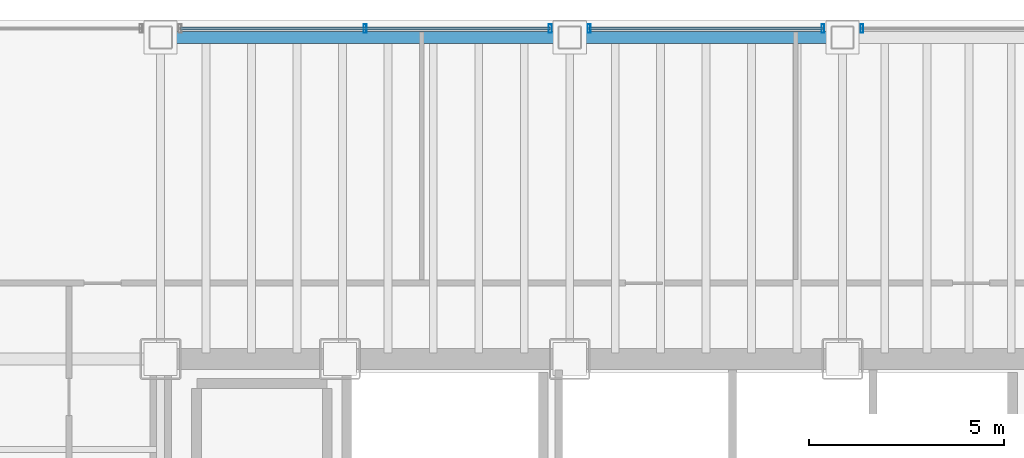
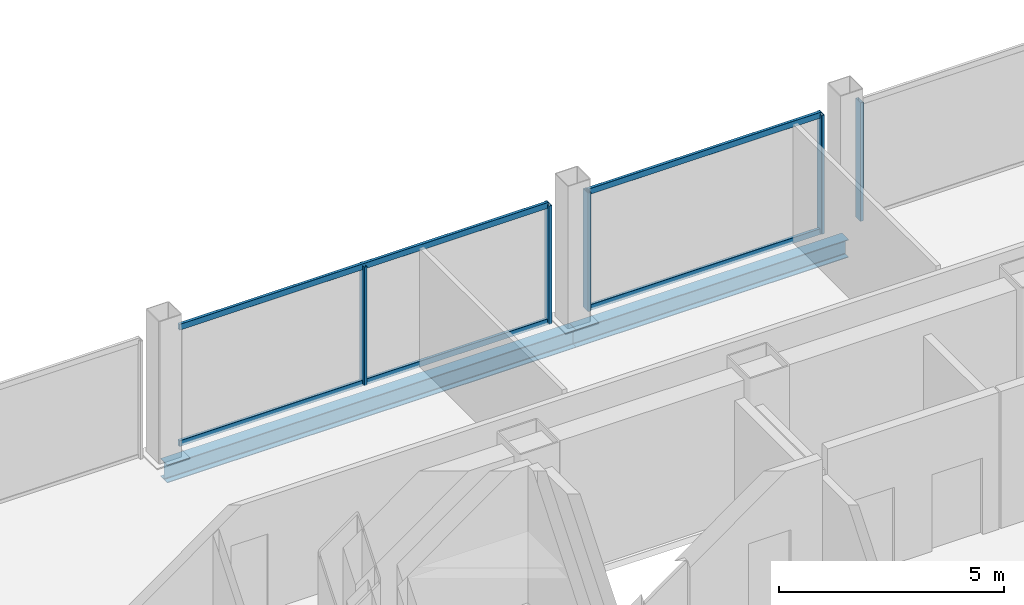
# One storey, part 15 of 21: 9 members, 2 beams, 3 elements without a shape of their own.
"""IFC4 building model written with IfcOpenShell, lengths in metres."""

from ifc_helpers import new_model, si_unit, direction, frame, origin, origin_2d, place, context, subcontext, project, spatial, hollow_rectangle, i_section, extrude, material, material_profile, profile_set, type_object, element, aggregate, save


model = new_model("IFC4")

# Units and contexts
model_context = context("Model", 3, precision=1e-05, world=origin(), true_north=direction((0.0, 1.0)))
body_context = subcontext(model_context, "Body", "Model", "MODEL_VIEW")
ifc_project = project(units=[si_unit("LENGTHUNIT", "METRE"), si_unit("AREAUNIT", "SQUARE_METRE"), si_unit("VOLUMEUNIT", "CUBIC_METRE"), si_unit("PLANEANGLEUNIT", "RADIAN"), si_unit("MASSUNIT", "GRAM", prefix="KILO")], contexts=[model_context])

# Site, building, storey
site_placement = place(None, origin())
site = spatial("IfcSite", under=ifc_project, at=site_placement, CompositionType="ELEMENT")
building_placement = place(site_placement, origin())
building = spatial("IfcBuilding", under=site, at=building_placement, Name="Noeulbin Bourse Tower", CompositionType="ELEMENT")
storey_placement = place(building_placement, frame((0.0, 0.0, 38.199951171875)))
storey = spatial("IfcBuildingStorey", under=building, at=storey_placement, Name="L09", CompositionType="ELEMENT", Elevation=38.199951171875)

# Beams
ifc_material_1 = material(Name="Steel S355", Category="steel")
ifc_material_profile_1 = material_profile(ifc_material_1, i_section(OverallWidth=0.300048828125, OverallDepth=0.488037109375, WebThickness=0.010986328125, FlangeThickness=0.01806640625, FilletRadius=0.02197265625, at=origin_2d()), Name="H-488x300x11x18", Category="LoadBearing")
ifc_profile_set_1 = profile_set([ifc_material_profile_1], Name="Steel S355")
beam_type = type_object("IfcBeamType", Name="BM-SPN-488", PredefinedType="SPANDREL", material=ifc_profile_set_1)
beam_1_placement = place(storey_placement, frame((13.5, 46.550048828125, -0.424072265625), z_axis=(1.0, 0.0, 0.0), x_axis=(0.0, 1.0, 0.0)))
element("IfcBeam", 1, at=beam_1_placement, inside=storey, type_object=beam_type, Name="North Spandrel L09-1", PredefinedType="SPANDREL", context=body_context, shape_type="SweptSolid", body=[
    extrude(i_section(OverallWidth=0.300048828125, OverallDepth=0.488037109375, WebThickness=0.010986328125, FlangeThickness=0.01806640625, FilletRadius=0.02197265625, at=origin_2d()), origin(), (0.0, 0.0, 1.0), 10.5),
])
beam_2_placement = place(storey_placement, frame((24.0, 46.550048828125, -0.424072265625), z_axis=(1.0, 0.0, 0.0), x_axis=(0.0, 1.0, 0.0)))
element("IfcBeam", 2, at=beam_2_placement, inside=storey, type_object=beam_type, Name="North Spandrel L09-2", PredefinedType="SPANDREL", context=body_context, shape_type="SweptSolid", body=[
    extrude(i_section(OverallWidth=0.300048828125, OverallDepth=0.488037109375, WebThickness=0.010986328125, FlangeThickness=0.01806640625, FilletRadius=0.02197265625, at=origin_2d()), origin(), (0.0, 0.0, 1.0), 7.0),
])

# Curtain wall, members
ifc_material_2 = material(Name="Dark Solar-Control Double Glazing", Category="glass")
curtain_wall_type = type_object("IfcCurtainWallType", Name="CW-SYS-2", PredefinedType="NOTDEFINED", material=ifc_material_2)
curtain_wall_1_placement = place(storey_placement, origin())
curtain_wall_1 = element("IfcCurtainWall", 3, at=curtain_wall_1_placement, inside=storey, type_object=curtain_wall_type, Name="Unitised Curtain Wall CW-L09-N-S2", PredefinedType="NOTDEFINED")
ifc_material_3 = material(Name="Anodised Aluminium 6063-T6", Category="aluminium")
ifc_material_profile_2 = material_profile(ifc_material_3, hollow_rectangle(XDim=0.074951171875, YDim=0.219970703125, WallThickness=0.0048828125, InnerFilletRadius=0.00244140625, OuterFilletRadius=0.0048828125, at=origin_2d()), Name="ALU-MULL-75x220x5", Category="LoadBearing")
ifc_profile_set_2 = profile_set([ifc_material_profile_2], Name="Anodised Aluminium 6063-T6")
member_type_1 = type_object("IfcMemberType", Name="CW-SYS-2-MUL", PredefinedType="MULLION", material=ifc_profile_set_2)
member_1_placement = place(storey_placement, frame((18.75, 46.780029296875, -0.02001953125), z_axis=(0.0, 0.0, 1.0), x_axis=(1.0, 0.0, 0.0)))
member_1 = element("IfcMember", 4, at=member_1_placement, type_object=member_type_1, Name="Curtain Wall Mullion CW-L09-N-S2-M01", PredefinedType="MULLION", context=body_context, shape_type="SweptSolid", body=[
    extrude(hollow_rectangle(XDim=0.074951171875, YDim=0.219970703125, WallThickness=0.0048828125, InnerFilletRadius=0.00244140625, OuterFilletRadius=0.0048828125, at=origin_2d()), origin(), (0.0, 0.0, 1.0), 3.219970703125),
])
member_2_placement = place(storey_placement, frame((23.5, 46.780029296875, -0.02001953125), z_axis=(0.0, 0.0, 1.0), x_axis=(1.0, 0.0, 0.0)))
member_2 = element("IfcMember", 5, at=member_2_placement, type_object=member_type_1, Name="Curtain Wall Mullion CW-L09-N-S2-M02", PredefinedType="MULLION", context=body_context, shape_type="SweptSolid", body=[
    extrude(hollow_rectangle(XDim=0.074951171875, YDim=0.219970703125, WallThickness=0.0048828125, InnerFilletRadius=0.00244140625, OuterFilletRadius=0.0048828125, at=origin_2d()), origin(), (0.0, 0.0, 1.0), 3.219970703125),
])

curtain_wall_2_placement = place(storey_placement, origin())
curtain_wall_2 = element("IfcCurtainWall", 6, at=curtain_wall_2_placement, inside=storey, type_object=curtain_wall_type, Name="Unitised Curtain Wall CW-L09-N-S3", PredefinedType="NOTDEFINED")
member_3_placement = place(storey_placement, frame((24.5, 46.780029296875, -0.02001953125), z_axis=(0.0, 0.0, 1.0), x_axis=(1.0, 0.0, 0.0)))
member_3 = element("IfcMember", 7, at=member_3_placement, type_object=member_type_1, Name="Curtain Wall Mullion CW-L09-N-S3-M00", PredefinedType="MULLION", context=body_context, shape_type="SweptSolid", body=[
    extrude(hollow_rectangle(XDim=0.074951171875, YDim=0.219970703125, WallThickness=0.0048828125, InnerFilletRadius=0.00244140625, OuterFilletRadius=0.0048828125, at=origin_2d()), origin(), (0.0, 0.0, 1.0), 3.219970703125),
])
member_4_placement = place(storey_placement, frame((30.5, 46.780029296875, -0.02001953125), z_axis=(0.0, 0.0, 1.0), x_axis=(1.0, 0.0, 0.0)))
member_4 = element("IfcMember", 8, at=member_4_placement, type_object=member_type_1, Name="Curtain Wall Mullion CW-L09-N-S3-M01", PredefinedType="MULLION", context=body_context, shape_type="SweptSolid", body=[
    extrude(hollow_rectangle(XDim=0.074951171875, YDim=0.219970703125, WallThickness=0.0048828125, InnerFilletRadius=0.00244140625, OuterFilletRadius=0.0048828125, at=origin_2d()), origin(), (0.0, 0.0, 1.0), 3.219970703125),
])

# Curtain wall, member
curtain_wall_3_placement = place(storey_placement, origin())
curtain_wall_3 = element("IfcCurtainWall", 9, at=curtain_wall_3_placement, inside=storey, type_object=curtain_wall_type, Name="Unitised Curtain Wall CW-L09-N-S4", PredefinedType="NOTDEFINED")
member_5_placement = place(storey_placement, frame((31.5, 46.780029296875, -0.02001953125), z_axis=(0.0, 0.0, 1.0), x_axis=(1.0, 0.0, 0.0)))
member_5 = element("IfcMember", 10, at=member_5_placement, type_object=member_type_1, Name="Curtain Wall Mullion CW-L09-N-S4-M00", PredefinedType="MULLION", context=body_context, shape_type="SweptSolid", body=[
    extrude(hollow_rectangle(XDim=0.074951171875, YDim=0.219970703125, WallThickness=0.0048828125, InnerFilletRadius=0.00244140625, OuterFilletRadius=0.0048828125, at=origin_2d()), origin(), (0.0, 0.0, 1.0), 3.219970703125),
])
aggregate(curtain_wall_3, [member_5])

# Member
ifc_material_profile_3 = material_profile(ifc_material_3, hollow_rectangle(XDim=0.074951171875, YDim=0.159912109375, WallThickness=0.0048828125, InnerFilletRadius=0.00244140625, OuterFilletRadius=0.0048828125, at=origin_2d()), Name="ALU-TRAN-75x160x5", Category="LoadBearing")
ifc_profile_set_3 = profile_set([ifc_material_profile_3], Name="Anodised Aluminium 6063-T6")
member_type_2 = type_object("IfcMemberType", Name="CW-SYS-2-TRN", PredefinedType="USERDEFINED", material=ifc_profile_set_3)
member_6_placement = place(storey_placement, frame((14.010009765625, 46.780029296875, 0.010009765625), z_axis=(1.0, 0.0, 0.0), x_axis=(0.0, 1.0, 0.0)))
member_6 = element("IfcMember", 11, at=member_6_placement, type_object=member_type_2, Name="Curtain Wall Transom CW-L09-N-S2-T00", ObjectType="TRANSOM", PredefinedType="USERDEFINED", context=body_context, shape_type="SweptSolid", body=[
    extrude(hollow_rectangle(XDim=0.074951171875, YDim=0.159912109375, WallThickness=0.0048828125, InnerFilletRadius=0.00244140625, OuterFilletRadius=0.0048828125, at=origin_2d()), origin(), (0.0, 0.0, 1.0), 9.47998046875),
])

member_7_placement = place(storey_placement, frame((14.010009765625, 46.780029296875, 3.170166015625), z_axis=(1.0, 0.0, 0.0), x_axis=(0.0, 1.0, 0.0)))
member_7 = element("IfcMember", 12, at=member_7_placement, type_object=member_type_2, Name="Curtain Wall Transom CW-L09-N-S2-T01", ObjectType="TRANSOM", PredefinedType="USERDEFINED", context=body_context, shape_type="SweptSolid", body=[
    extrude(hollow_rectangle(XDim=0.074951171875, YDim=0.159912109375, WallThickness=0.0048828125, InnerFilletRadius=0.00244140625, OuterFilletRadius=0.0048828125, at=origin_2d()), origin(), (0.0, 0.0, 1.0), 9.47998046875),
])

aggregate(curtain_wall_1, [member_1, member_2, member_6, member_7])

member_8_placement = place(storey_placement, frame((24.510009765625, 46.780029296875, 0.010009765625), z_axis=(1.0, 0.0, 0.0), x_axis=(0.0, 1.0, 0.0)))
member_8 = element("IfcMember", 13, at=member_8_placement, type_object=member_type_2, Name="Curtain Wall Transom CW-L09-N-S3-T00", ObjectType="TRANSOM", PredefinedType="USERDEFINED", context=body_context, shape_type="SweptSolid", body=[
    extrude(hollow_rectangle(XDim=0.074951171875, YDim=0.159912109375, WallThickness=0.0048828125, InnerFilletRadius=0.00244140625, OuterFilletRadius=0.0048828125, at=origin_2d()), origin(), (0.0, 0.0, 1.0), 5.97998046875),
])

member_9_placement = place(storey_placement, frame((24.510009765625, 46.780029296875, 3.170166015625), z_axis=(1.0, 0.0, 0.0), x_axis=(0.0, 1.0, 0.0)))
member_9 = element("IfcMember", 14, at=member_9_placement, type_object=member_type_2, Name="Curtain Wall Transom CW-L09-N-S3-T01", ObjectType="TRANSOM", PredefinedType="USERDEFINED", context=body_context, shape_type="SweptSolid", body=[
    extrude(hollow_rectangle(XDim=0.074951171875, YDim=0.159912109375, WallThickness=0.0048828125, InnerFilletRadius=0.00244140625, OuterFilletRadius=0.0048828125, at=origin_2d()), origin(), (0.0, 0.0, 1.0), 5.97998046875),
])

aggregate(curtain_wall_2, [member_3, member_4, member_8, member_9])

save(model, "model.ifc")
